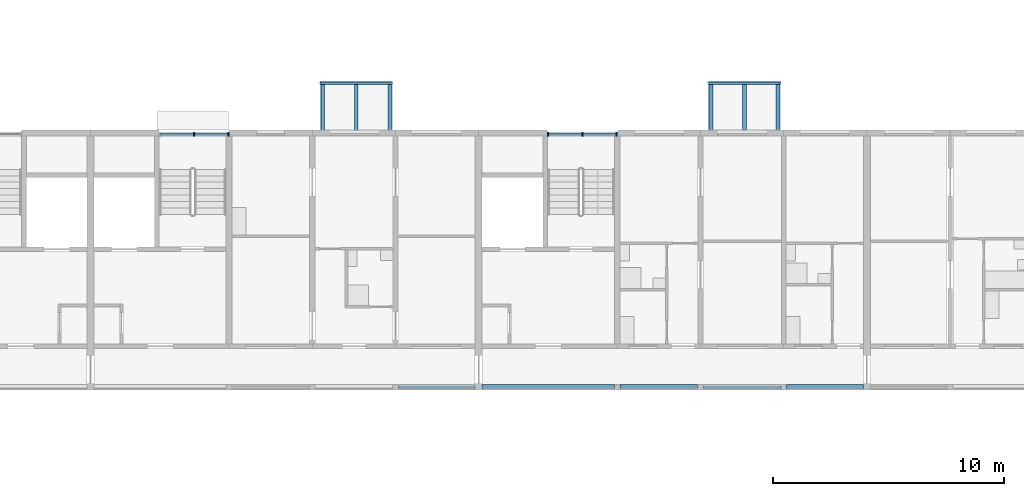
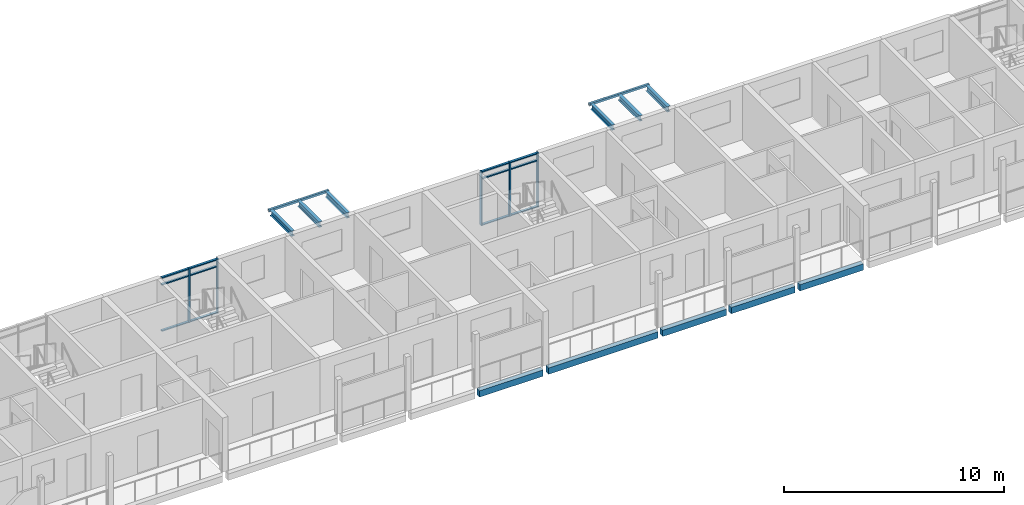
# One storey, part 17 of 122: 17 members, 13 beams, 2 elements without a shape of their own.
"""IFC4 building model written with IfcOpenShell, lengths in metres."""

from ifc_helpers import new_model, si_unit, direction, frame, origin, origin_2d, place, context, subcontext, project, spatial, rectangle, hollow_rectangle, i_section, extrude, material, material_profile, profile_set, type_object, element, aggregate, save


model = new_model("IFC4")

# Units and contexts
model_context = context("Model", 3, precision=1e-05, world=origin(), true_north=direction((0.0, 1.0)))
body_context = subcontext(model_context, "Body", "Model", "MODEL_VIEW")
ifc_project = project(units=[si_unit("LENGTHUNIT", "METRE"), si_unit("AREAUNIT", "SQUARE_METRE"), si_unit("VOLUMEUNIT", "CUBIC_METRE"), si_unit("PLANEANGLEUNIT", "RADIAN"), si_unit("MASSUNIT", "GRAM", prefix="KILO")], contexts=[model_context])

# Site, building, storey
site_placement = place(None, origin())
site = spatial("IfcSite", under=ifc_project, at=site_placement, CompositionType="ELEMENT")
building_placement = place(site_placement, origin())
building = spatial("IfcBuilding", under=site, at=building_placement, Name="Ridgestep Commons", CompositionType="ELEMENT")
storey_placement = place(building_placement, frame((0.0, 0.0, 3.0)))
storey = spatial("IfcBuildingStorey", under=building, at=storey_placement, Name="L01", CompositionType="ELEMENT", Elevation=3.0)

# Beams
ifc_material_1 = material(Name="Precast concrete C40/50", Category="concrete")
ifc_material_profile_1 = material_profile(ifc_material_1, rectangle(XDim=0.25, YDim=0.35009765625, at=origin_2d()), Name="PC 250x350")
ifc_profile_set_1 = profile_set([ifc_material_profile_1], Name="Precast concrete C40/50")
beam_type_1 = type_object("IfcBeamType", Name="Loggia edge beam 250 x 350", PredefinedType="SPANDREL", material=ifc_profile_set_1)
beam_1_placement = place(storey_placement, frame((42.125, 66.125, -0.375), z_axis=(1.0, 0.0, 0.0), x_axis=(0.0, 1.0, 0.0)))
element("IfcBeam", 1, at=beam_1_placement, inside=storey, type_object=beam_type_1, Name="Loggia edge beam B2T1 L01", PredefinedType="SPANDREL", context=body_context, shape_type="SweptSolid", body=[
    extrude(rectangle(XDim=0.25, YDim=0.35009765625, at=origin_2d()), origin(), (0.0, 0.0, 1.0), 3.324951171875),
])
beam_2_placement = place(storey_placement, frame((45.75, 66.125, -0.375), z_axis=(1.0, 0.0, 0.0), x_axis=(0.0, 1.0, 0.0)))
element("IfcBeam", 2, at=beam_2_placement, inside=storey, type_object=beam_type_1, Name="Loggia edge beam B3C L01", PredefinedType="SPANDREL", context=body_context, shape_type="SweptSolid", body=[
    extrude(rectangle(XDim=0.25, YDim=0.35009765625, at=origin_2d()), origin(), (0.0, 0.0, 1.0), 5.72509765625),
])
beam_3_placement = place(storey_placement, frame((51.72509765625, 66.125, -0.375), z_axis=(1.0, 0.0, 0.0), x_axis=(0.0, 1.0, 0.0)))
element("IfcBeam", 3, at=beam_3_placement, inside=storey, type_object=beam_type_1, Name="Loggia edge beam B3T3 L01", PredefinedType="SPANDREL", context=body_context, shape_type="SweptSolid", body=[
    extrude(rectangle(XDim=0.25, YDim=0.35009765625, at=origin_2d()), origin(), (0.0, 0.0, 1.0), 3.349853515625),
])
beam_4_placement = place(storey_placement, frame((55.324951171875, 66.125, -0.375), z_axis=(1.0, 0.0, 0.0), x_axis=(0.0, 1.0, 0.0)))
element("IfcBeam", 4, at=beam_4_placement, inside=storey, type_object=beam_type_1, Name="Loggia edge beam B3T2 L01", PredefinedType="SPANDREL", context=body_context, shape_type="SweptSolid", body=[
    extrude(rectangle(XDim=0.25, YDim=0.35009765625, at=origin_2d()), origin(), (0.0, 0.0, 1.0), 3.35009765625),
])
beam_5_placement = place(storey_placement, frame((58.925048828125, 66.125, -0.375), z_axis=(1.0, 0.0, 0.0), x_axis=(0.0, 1.0, 0.0)))
element("IfcBeam", 5, at=beam_5_placement, inside=storey, type_object=beam_type_1, Name="Loggia edge beam B3T1 L01", PredefinedType="SPANDREL", context=body_context, shape_type="SweptSolid", body=[
    extrude(rectangle(XDim=0.25, YDim=0.35009765625, at=origin_2d()), origin(), (0.0, 0.0, 1.0), 3.324951171875),
])

# Curtain wall, members
ifc_material_2 = material(Name="Aluminium 6063-T6 and glass", Category="aluminium")
curtain_wall_type = type_object("IfcCurtainWallType", Name="Curtain wall stair strip", PredefinedType="NOTDEFINED", material=ifc_material_2)
curtain_wall_1_placement = place(storey_placement, origin())
curtain_wall_1 = element("IfcCurtainWall", 6, at=curtain_wall_1_placement, inside=storey, type_object=curtain_wall_type, Name="Curtain wall B2C level 01", PredefinedType="NOTDEFINED")
ifc_material_3 = material(Name="Aluminium 6063-T6", Category="aluminium")
ifc_material_profile_2 = material_profile(ifc_material_3, rectangle(XDim=0.159912109375, YDim=0.06005859375, at=origin_2d()), Name="Mullion 60 x 160")
ifc_profile_set_2 = profile_set([ifc_material_profile_2], Name="Aluminium 6063-T6")
member_type_1 = type_object("IfcMemberType", Name="Mullion 60 x 160", PredefinedType="MULLION", material=ifc_profile_set_2)
member_1_placement = place(storey_placement, frame((33.28759765625, 77.080078125, 0.0), z_axis=(0.0, 0.0, 1.0), x_axis=(0.0, 1.0, 0.0)))
member_1 = element("IfcMember", 7, at=member_1_placement, type_object=member_type_1, Name="CW1 mullion 2", PredefinedType="MULLION", context=body_context, shape_type="SweptSolid", body=[
    extrude(rectangle(XDim=0.159912109375, YDim=0.06005859375, at=origin_2d()), origin(), (0.0, 0.0, 1.0), 3.0),
])
member_2_placement = place(storey_placement, frame((34.77001953125, 77.080078125, 0.0), z_axis=(0.0, 0.0, 1.0), x_axis=(0.0, 1.0, 0.0)))
member_2 = element("IfcMember", 8, at=member_2_placement, type_object=member_type_1, Name="CW1 mullion 3", PredefinedType="MULLION", context=body_context, shape_type="SweptSolid", body=[
    extrude(rectangle(XDim=0.159912109375, YDim=0.06005859375, at=origin_2d()), origin(), (0.0, 0.0, 1.0), 3.0),
])

curtain_wall_2_placement = place(storey_placement, origin())
curtain_wall_2 = element("IfcCurtainWall", 9, at=curtain_wall_2_placement, inside=storey, type_object=curtain_wall_type, Name="Curtain wall B3C level 01", PredefinedType="NOTDEFINED")
member_3_placement = place(storey_placement, frame((48.60498046875, 77.080078125, 0.0), z_axis=(0.0, 0.0, 1.0), x_axis=(0.0, 1.0, 0.0)))
member_3 = element("IfcMember", 10, at=member_3_placement, type_object=member_type_1, Name="CW1 mullion 1", PredefinedType="MULLION", context=body_context, shape_type="SweptSolid", body=[
    extrude(rectangle(XDim=0.159912109375, YDim=0.06005859375, at=origin_2d()), origin(), (0.0, 0.0, 1.0), 3.0),
])
member_4_placement = place(storey_placement, frame((50.08740234375, 77.080078125, 0.0), z_axis=(0.0, 0.0, 1.0), x_axis=(0.0, 1.0, 0.0)))
member_4 = element("IfcMember", 11, at=member_4_placement, type_object=member_type_1, Name="CW1 mullion 2", PredefinedType="MULLION", context=body_context, shape_type="SweptSolid", body=[
    extrude(rectangle(XDim=0.159912109375, YDim=0.06005859375, at=origin_2d()), origin(), (0.0, 0.0, 1.0), 3.0),
])
member_5_placement = place(storey_placement, frame((51.570068359375, 77.080078125, 0.0), z_axis=(0.0, 0.0, 1.0), x_axis=(0.0, 1.0, 0.0)))
member_5 = element("IfcMember", 12, at=member_5_placement, type_object=member_type_1, Name="CW1 mullion 3", PredefinedType="MULLION", context=body_context, shape_type="SweptSolid", body=[
    extrude(rectangle(XDim=0.159912109375, YDim=0.06005859375, at=origin_2d()), origin(), (0.0, 0.0, 1.0), 3.0),
])

# Member
ifc_material_4 = material(Name="Aluminium 6063-T6", Category="aluminium")
ifc_material_profile_3 = material_profile(ifc_material_4, rectangle(XDim=0.1201171875, YDim=0.06005859375, at=origin_2d()), Name="Transom 60 x 120")
ifc_profile_set_3 = profile_set([ifc_material_profile_3], Name="Aluminium 6063-T6")
member_type_2 = type_object("IfcMemberType", Name="Transom 60 x 120", PredefinedType="USERDEFINED", material=ifc_profile_set_3)
member_6_placement = place(storey_placement, frame((31.8349609375, 77.080078125, 0.030029296875), z_axis=(1.0, 0.0, 0.0), x_axis=(0.0, 1.0, 0.0)))
member_6 = element("IfcMember", 13, at=member_6_placement, type_object=member_type_2, Name="CW1 transom 1.1", ObjectType="TRANSOM", PredefinedType="USERDEFINED", context=body_context, shape_type="SweptSolid", body=[
    extrude(rectangle(XDim=0.1201171875, YDim=0.06005859375, at=origin_2d()), origin(), (0.0, 0.0, 1.0), 1.422607421875),
])

member_7_placement = place(storey_placement, frame((31.8349609375, 77.080078125, 2.590087890625), z_axis=(1.0, 0.0, 0.0), x_axis=(0.0, 1.0, 0.0)))
member_7 = element("IfcMember", 14, at=member_7_placement, type_object=member_type_2, Name="CW1 transom 1.2", ObjectType="TRANSOM", PredefinedType="USERDEFINED", context=body_context, shape_type="SweptSolid", body=[
    extrude(rectangle(XDim=0.1201171875, YDim=0.06005859375, at=origin_2d()), origin(), (0.0, 0.0, 1.0), 1.422607421875),
])

member_8_placement = place(storey_placement, frame((31.8349609375, 77.080078125, 2.969970703125), z_axis=(1.0, 0.0, 0.0), x_axis=(0.0, 1.0, 0.0)))
member_8 = element("IfcMember", 15, at=member_8_placement, type_object=member_type_2, Name="CW1 transom 1.3", ObjectType="TRANSOM", PredefinedType="USERDEFINED", context=body_context, shape_type="SweptSolid", body=[
    extrude(rectangle(XDim=0.1201171875, YDim=0.06005859375, at=origin_2d()), origin(), (0.0, 0.0, 1.0), 1.422607421875),
])

member_9_placement = place(storey_placement, frame((33.3173828125, 77.080078125, 0.030029296875), z_axis=(1.0, 0.0, 0.0), x_axis=(0.0, 1.0, 0.0)))
member_9 = element("IfcMember", 16, at=member_9_placement, type_object=member_type_2, Name="CW1 transom 2.1", ObjectType="TRANSOM", PredefinedType="USERDEFINED", context=body_context, shape_type="SweptSolid", body=[
    extrude(rectangle(XDim=0.1201171875, YDim=0.06005859375, at=origin_2d()), origin(), (0.0, 0.0, 1.0), 1.422607421875),
])

member_10_placement = place(storey_placement, frame((33.3173828125, 77.080078125, 2.590087890625), z_axis=(1.0, 0.0, 0.0), x_axis=(0.0, 1.0, 0.0)))
member_10 = element("IfcMember", 17, at=member_10_placement, type_object=member_type_2, Name="CW1 transom 2.2", ObjectType="TRANSOM", PredefinedType="USERDEFINED", context=body_context, shape_type="SweptSolid", body=[
    extrude(rectangle(XDim=0.1201171875, YDim=0.06005859375, at=origin_2d()), origin(), (0.0, 0.0, 1.0), 1.422607421875),
])

member_11_placement = place(storey_placement, frame((33.3173828125, 77.080078125, 2.969970703125), z_axis=(1.0, 0.0, 0.0), x_axis=(0.0, 1.0, 0.0)))
member_11 = element("IfcMember", 18, at=member_11_placement, type_object=member_type_2, Name="CW1 transom 2.3", ObjectType="TRANSOM", PredefinedType="USERDEFINED", context=body_context, shape_type="SweptSolid", body=[
    extrude(rectangle(XDim=0.1201171875, YDim=0.06005859375, at=origin_2d()), origin(), (0.0, 0.0, 1.0), 1.422607421875),
])

aggregate(curtain_wall_1, [member_1, member_2, member_6, member_7, member_8, member_9, member_10, member_11])

member_12_placement = place(storey_placement, frame((48.635009765625, 77.080078125, 0.030029296875), z_axis=(1.0, 0.0, 0.0), x_axis=(0.0, 1.0, 0.0)))
member_12 = element("IfcMember", 19, at=member_12_placement, type_object=member_type_2, Name="CW1 transom 1.1", ObjectType="TRANSOM", PredefinedType="USERDEFINED", context=body_context, shape_type="SweptSolid", body=[
    extrude(rectangle(XDim=0.1201171875, YDim=0.06005859375, at=origin_2d()), origin(), (0.0, 0.0, 1.0), 1.422607421875),
])

member_13_placement = place(storey_placement, frame((48.635009765625, 77.080078125, 2.590087890625), z_axis=(1.0, 0.0, 0.0), x_axis=(0.0, 1.0, 0.0)))
member_13 = element("IfcMember", 20, at=member_13_placement, type_object=member_type_2, Name="CW1 transom 1.2", ObjectType="TRANSOM", PredefinedType="USERDEFINED", context=body_context, shape_type="SweptSolid", body=[
    extrude(rectangle(XDim=0.1201171875, YDim=0.06005859375, at=origin_2d()), origin(), (0.0, 0.0, 1.0), 1.422607421875),
])

member_14_placement = place(storey_placement, frame((48.635009765625, 77.080078125, 2.969970703125), z_axis=(1.0, 0.0, 0.0), x_axis=(0.0, 1.0, 0.0)))
member_14 = element("IfcMember", 21, at=member_14_placement, type_object=member_type_2, Name="CW1 transom 1.3", ObjectType="TRANSOM", PredefinedType="USERDEFINED", context=body_context, shape_type="SweptSolid", body=[
    extrude(rectangle(XDim=0.1201171875, YDim=0.06005859375, at=origin_2d()), origin(), (0.0, 0.0, 1.0), 1.422607421875),
])

member_15_placement = place(storey_placement, frame((50.117431640625, 77.080078125, 0.030029296875), z_axis=(1.0, 0.0, 0.0), x_axis=(0.0, 1.0, 0.0)))
member_15 = element("IfcMember", 22, at=member_15_placement, type_object=member_type_2, Name="CW1 transom 2.1", ObjectType="TRANSOM", PredefinedType="USERDEFINED", context=body_context, shape_type="SweptSolid", body=[
    extrude(rectangle(XDim=0.1201171875, YDim=0.06005859375, at=origin_2d()), origin(), (0.0, 0.0, 1.0), 1.422607421875),
])

member_16_placement = place(storey_placement, frame((50.117431640625, 77.080078125, 2.590087890625), z_axis=(1.0, 0.0, 0.0), x_axis=(0.0, 1.0, 0.0)))
member_16 = element("IfcMember", 23, at=member_16_placement, type_object=member_type_2, Name="CW1 transom 2.2", ObjectType="TRANSOM", PredefinedType="USERDEFINED", context=body_context, shape_type="SweptSolid", body=[
    extrude(rectangle(XDim=0.1201171875, YDim=0.06005859375, at=origin_2d()), origin(), (0.0, 0.0, 1.0), 1.422607421875),
])

member_17_placement = place(storey_placement, frame((50.117431640625, 77.080078125, 2.969970703125), z_axis=(1.0, 0.0, 0.0), x_axis=(0.0, 1.0, 0.0)))
member_17 = element("IfcMember", 24, at=member_17_placement, type_object=member_type_2, Name="CW1 transom 2.3", ObjectType="TRANSOM", PredefinedType="USERDEFINED", context=body_context, shape_type="SweptSolid", body=[
    extrude(rectangle(XDim=0.1201171875, YDim=0.06005859375, at=origin_2d()), origin(), (0.0, 0.0, 1.0), 1.422607421875),
])

aggregate(curtain_wall_2, [member_3, member_4, member_5, member_12, member_13, member_14, member_15, member_16, member_17])

# Beams
ifc_material_5 = material(Name="Weathering steel S355J2W", Category="steel")
ifc_material_profile_4 = material_profile(ifc_material_5, i_section(OverallWidth=0.1650390625, OverallDepth=0.303466796875, WebThickness=0.006103515625, FlangeThickness=0.01025390625, FilletRadius=0.0087890625, at=origin_2d()), Name="UB 305x165x40")
ifc_profile_set_4 = profile_set([ifc_material_profile_4], Name="Weathering steel S355J2W")
beam_type_2 = type_object("IfcBeamType", Name="Tray arm UB 305x165x40", PredefinedType="BEAM", material=ifc_profile_set_4)
for number, where, z_axis, x_axis, name in (
    (25, (38.85009765625, 77.264892578125, 2.83837890625), (0.0, 1.0, 0.0), (-1.0, 0.0, 0.0), "Tray arm B2T2-02.1"),
    (26, (40.300048828125, 77.264892578125, 2.83837890625), (0.0, 1.0, 0.0), (-1.0, 0.0, 0.0), "Tray arm B2T2-02.2"),
    (27, (41.75, 77.264892578125, 2.83837890625), (0.0, 1.0, 0.0), (-1.0, 0.0, 0.0), "Tray arm B2T2-02.3"),
    (28, (55.64990234375, 77.264892578125, 2.83837890625), (0.0, 1.0, 0.0), (-1.0, 0.0, 0.0), "Tray arm B3T2-02.1"),
    (29, (57.10009765625, 77.264892578125, 2.83837890625), (0.0, 1.0, 0.0), (-1.0, 0.0, 0.0), "Tray arm B3T2-02.2"),
    (30, (58.550048828125, 77.264892578125, 2.83837890625), (0.0, 1.0, 0.0), (-1.0, 0.0, 0.0), "Tray arm B3T2-02.3"),
):
    element("IfcBeam", number, at=place(storey_placement, frame(where, z_axis=z_axis, x_axis=x_axis)), inside=storey, type_object=beam_type_2, Name=name, PredefinedType="BEAM", context=body_context, shape_type="SweptSolid", body=[
        extrude(i_section(OverallWidth=0.1650390625, OverallDepth=0.303466796875, WebThickness=0.006103515625, FlangeThickness=0.01025390625, FilletRadius=0.0087890625, at=origin_2d()), origin(), (0.0, 0.0, 1.0), 1.965087890625),
    ])
ifc_material_6 = material(Name="Weathering steel S355J2W", Category="steel")
ifc_material_profile_5 = material_profile(ifc_material_6, hollow_rectangle(XDim=0.1201171875, YDim=0.1201171875, WallThickness=0.00634765625, InnerFilletRadius=0.00634765625, OuterFilletRadius=0.009521484375, at=origin_2d()), Name="SHS 120x120x6.3")
ifc_profile_set_5 = profile_set([ifc_material_profile_5], Name="Weathering steel S355J2W")
beam_type_3 = type_object("IfcBeamType", Name="Tray edge member SHS 120x120x6.3", PredefinedType="BEAM", material=ifc_profile_set_5)
beam_6_placement = place(storey_placement, frame((38.72998046875, 79.2900390625, 2.929931640625), z_axis=(1.0, 0.0, 0.0), x_axis=(0.0, 0.0, 1.0)))
element("IfcBeam", 31, at=beam_6_placement, inside=storey, type_object=beam_type_3, Name="Tray edge member B2T2-02", PredefinedType="BEAM", context=body_context, shape_type="SweptSolid", body=[
    extrude(hollow_rectangle(XDim=0.1201171875, YDim=0.1201171875, WallThickness=0.00634765625, InnerFilletRadius=0.00634765625, OuterFilletRadius=0.009521484375, at=origin_2d()), origin(), (0.0, 0.0, 1.0), 3.14013671875),
])
beam_7_placement = place(storey_placement, frame((55.530029296875, 79.2900390625, 2.929931640625), z_axis=(1.0, 0.0, 0.0), x_axis=(0.0, 0.0, 1.0)))
element("IfcBeam", 32, at=beam_7_placement, inside=storey, type_object=beam_type_3, Name="Tray edge member B3T2-02", PredefinedType="BEAM", context=body_context, shape_type="SweptSolid", body=[
    extrude(hollow_rectangle(XDim=0.1201171875, YDim=0.1201171875, WallThickness=0.00634765625, InnerFilletRadius=0.00634765625, OuterFilletRadius=0.009521484375, at=origin_2d()), origin(), (0.0, 0.0, 1.0), 3.139892578125),
])

save(model, "model.ifc")
